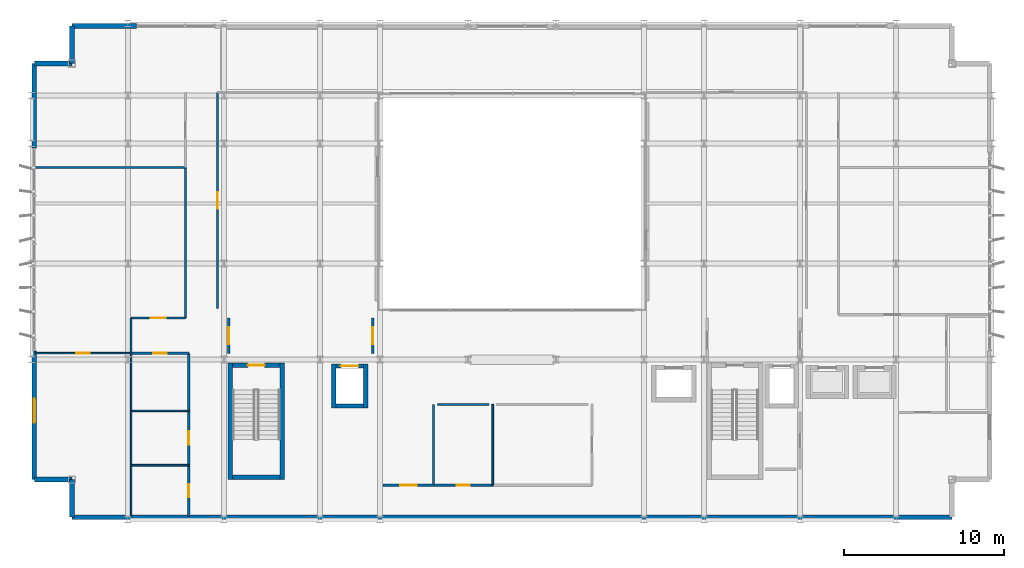
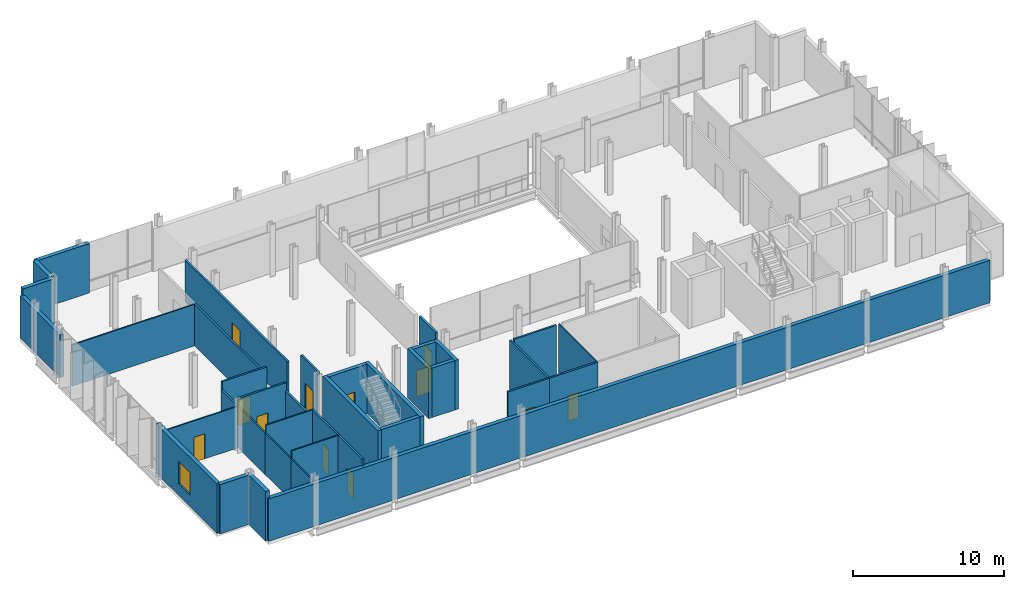
# One storey, part 24 of 32: 38 walls, 12 doors, 1 window, 13 openings.
"""IFC4 building model written with IfcOpenShell, lengths in metres."""

import ifcopenshell
import ifcopenshell.guid

model = None  # the IFC model being written
_history = None  # IfcOwnerHistory: only IFC2X3 demands one
_inside = {}  # id of a spatial element -> (the spatial element, [elements in it])
_under = {}  # id of a project, library or spatial element -> (it, [spatial elements below it])
_declared = {}  # id of a project -> (the project, [libraries it declares])
_typed = {}  # id of a type object -> (the type object, [elements of that type])
_made_of = {}  # id of a material, layer set ... -> (it, [elements and type objects made of it])


def new_model(schema):
    """Start an empty IFC model of exactly this schema.

    Asked for "IFC4X3", IfcOpenShell would pick the latest addendum, in which some entities
    have other attributes; the version numbers below select the first issue.
    IFC2X3 requires an IfcOwnerHistory on every rooted entity: one is made here for all.
    """
    global model, _history
    if schema == "IFC4X3":
        model = ifcopenshell.file(schema_version=(4, 3, 0, 0))
    else:
        model = ifcopenshell.file(schema=schema)
    _inside.clear()
    _under.clear()
    _declared.clear()
    _typed.clear()
    _made_of.clear()
    _history = None
    if model.schema == "IFC2X3":
        org = make("IfcOrganization", Name="unknown")
        user = make(
            "IfcPersonAndOrganization",
            ThePerson=make("IfcPerson", FamilyName="unknown"),
            TheOrganization=org,
        )
        app = make(
            "IfcApplication",
            ApplicationDeveloper=org,
            Version="unknown",
            ApplicationFullName="unknown",
            ApplicationIdentifier="unknown",
        )
        _history = make(
            "IfcOwnerHistory",
            OwningUser=user,
            OwningApplication=app,
            ChangeAction="ADDED",
            CreationDate=0,
        )
    return model


def make(cls, **values):
    """One entity of the class cls with the attributes given. An attribute that is None is left unset."""
    return model.create_entity(
        cls, **{name: value for name, value in values.items() if value is not None}
    )


def rooted(cls, **values):
    """An entity with a GlobalId (a new one), such as an element, a storey or a relation."""
    return make(cls, GlobalId=ifcopenshell.guid.new(), OwnerHistory=_history, **values)


def si_unit(unit_type, name, prefix=None):
    """IfcSIUnit, for example si_unit("LENGTHUNIT", "METRE", prefix="MILLI")."""
    return make("IfcSIUnit", UnitType=unit_type, Prefix=prefix, Name=name)


def assignment(units):
    """IfcUnitAssignment: the units of a project."""
    return None if units is None else make("IfcUnitAssignment", Units=units)


def point(xyz):
    """IfcCartesianPoint."""
    return None if xyz is None else make("IfcCartesianPoint", Coordinates=xyz)


def direction(xyz):
    """IfcDirection."""
    return None if xyz is None else make("IfcDirection", DirectionRatios=xyz)


def frame(location, z_axis=None, x_axis=None):
    """IfcAxis2Placement3D, a coordinate frame: its origin and axes. An axis left out is left unset."""
    return make(
        "IfcAxis2Placement3D",
        Location=point(location),
        Axis=direction(z_axis),
        RefDirection=direction(x_axis),
    )


def frame_2d(location, x_axis=None):
    """IfcAxis2Placement2D, a coordinate frame in the plane: its origin and x axis."""
    return make(
        "IfcAxis2Placement2D", Location=point(location), RefDirection=direction(x_axis)
    )


def origin():
    """The frame at (0, 0, 0) with its axes left unset."""
    return frame((0.0, 0.0, 0.0))


def place(relative_to, where):
    """IfcLocalPlacement: puts the frame where relative to a parent placement (None: the world)."""
    return make(
        "IfcLocalPlacement", PlacementRelTo=relative_to, RelativePlacement=where
    )


def context(
    kind, dimensions, precision=None, world=None, true_north=None, identifier=None
):
    """IfcGeometricRepresentationContext, for example the 3D "Model" context."""
    return make(
        "IfcGeometricRepresentationContext",
        ContextIdentifier=identifier,
        ContextType=kind,
        CoordinateSpaceDimension=dimensions,
        Precision=precision,
        WorldCoordinateSystem=world,
        TrueNorth=true_north,
    )


def subcontext(parent, identifier, kind, view, scale=None):
    """IfcGeometricRepresentationSubContext, for example "Body" below "Model"."""
    return make(
        "IfcGeometricRepresentationSubContext",
        ContextIdentifier=identifier,
        ContextType=kind,
        ParentContext=parent,
        TargetScale=scale,
        TargetView=view,
    )


def project(units=None, contexts=None):
    """IfcProject with its units and contexts."""
    return rooted(
        "IfcProject",
        Name="project",
        RepresentationContexts=contexts,
        UnitsInContext=assignment(units),
    )


def spatial(cls, under=None, at=None, **own):
    """A site, building, storey or space (cls), placed at a placement, below another one or the project."""
    s = rooted(cls, ObjectPlacement=at, **own)
    if under is not None:
        _under.setdefault(under.id(), (under, []))[1].append(s)
    return s


def profile(cls, at=None, kind="AREA", **sizes):
    """A parametric profile (cls). Its sizes go by their IFC names, for example OverallWidth=200.0."""
    return make(cls, ProfileType=kind, Position=at, **sizes)


def rectangle(**sizes):
    """IfcRectangleProfileDef."""
    return profile("IfcRectangleProfileDef", **sizes)


def extrude(swept, where, along, depth):
    """IfcExtrudedAreaSolid: the profile swept, set in the frame where, extruded along a direction by depth."""
    return make(
        "IfcExtrudedAreaSolid",
        SweptArea=swept,
        Position=where,
        ExtrudedDirection=direction(along),
        Depth=depth,
    )


def shape(context_of_items, identifier, shape_type, items):
    """IfcShapeRepresentation: the items that make up one representation, for example the "Body"."""
    return make(
        "IfcShapeRepresentation",
        ContextOfItems=context_of_items,
        RepresentationIdentifier=identifier,
        RepresentationType=shape_type,
        Items=items,
    )


def material(Name=None, Category=None):
    """IfcMaterial."""
    return make("IfcMaterial", Name=Name, Category=Category)


def layer(
    of_material, thickness, ventilated=None, Name=None, Category=None, Priority=None
):
    """IfcMaterialLayer: one layer of a wall or slab, of a material (None: an air gap)."""
    return make(
        "IfcMaterialLayer",
        Material=of_material,
        LayerThickness=thickness,
        IsVentilated=ventilated,
        Name=Name,
        Category=Category,
        Priority=Priority,
    )


def layer_set(layers, Name=None):
    """IfcMaterialLayerSet."""
    return make("IfcMaterialLayerSet", MaterialLayers=layers, LayerSetName=Name)


def made_of(thing, what):
    """Note that an element or type object is made of a material, layer set ...; save() writes the relation."""
    if what is not None:
        _made_of.setdefault(what.id(), (what, []))[1].append(thing)
    return thing


def type_object(cls, material=None, **own):
    """A type object (cls), such as IfcWallType, which elements share."""
    return made_of(rooted(cls, **own), material)


def element(
    cls,
    number,
    at=None,
    inside=None,
    cuts=None,
    type_object=None,
    material=None,
    context=None,
    identifier="Body",
    shape_type=None,
    held_by="IfcProductDefinitionShape",
    body=None,
    shapes=None,
    **own,
):
    """One element of the class cls, such as IfcWall. Its Tag is "e" and its number.

    at: its placement. inside: the storey or other place that contains it. cuts: it is an
    opening in that element (IfcRelVoidsElement). A single representation is given by context,
    identifier, shape_type and body (its items); several are given by shapes. held_by: the class
    of the entity that holds the representations. save() writes the other relations.
    """
    e = rooted(cls, Tag="e%d" % number, ObjectPlacement=at, **own)
    if body is not None:
        shapes = [shape(context, identifier, shape_type, body)]
    if shapes is not None:
        e.Representation = make(held_by, Representations=shapes)
    if inside is not None:
        _inside.setdefault(inside.id(), (inside, []))[1].append(e)
    if cuts is not None:
        rooted(
            "IfcRelVoidsElement", RelatingBuildingElement=cuts, RelatedOpeningElement=e
        )
    if type_object is not None:
        _typed.setdefault(type_object.id(), (type_object, []))[1].append(e)
    return made_of(e, material)


def fill(opening, filler):
    """IfcRelFillsElement: the door or window that sits in an opening."""
    return rooted(
        "IfcRelFillsElement",
        RelatingOpeningElement=opening,
        RelatedBuildingElement=filler,
    )


def aggregate(whole, parts):
    """IfcRelAggregates: a whole, such as a stair, and the parts it consists of."""
    return rooted("IfcRelAggregates", RelatingObject=whole, RelatedObjects=parts)


def save(model, path):
    """Write the relations noted so far, then the file.

    IfcRelAggregates (storeys below a building ...), IfcRelContainedInSpatialStructure (elements
    in a storey), IfcRelDefinesByType, IfcRelAssociatesMaterial and IfcRelDeclares: one each for
    every whole, place, type object, material and project.
    """
    for whole, parts in _under.values():
        aggregate(whole, parts)
    for where, things in _inside.values():
        rooted(
            "IfcRelContainedInSpatialStructure",
            RelatedElements=things,
            RelatingStructure=where,
        )
    for kind, things in _typed.values():
        rooted("IfcRelDefinesByType", RelatedObjects=things, RelatingType=kind)
    for what, things in _made_of.values():
        rooted("IfcRelAssociatesMaterial", RelatedObjects=things, RelatingMaterial=what)
    for by, libraries in _declared.values():
        rooted("IfcRelDeclares", RelatingContext=by, RelatedDefinitions=libraries)
    model.write(path)


model = new_model("IFC4")

# Units and contexts
model_context = context("Model", 3, precision=1e-05, world=origin(), true_north=direction((0.0, 1.0)))
body_context = subcontext(model_context, "Body", "Model", "MODEL_VIEW")
ifc_project = project(units=[si_unit("LENGTHUNIT", "METRE"), si_unit("AREAUNIT", "SQUARE_METRE"), si_unit("VOLUMEUNIT", "CUBIC_METRE"), si_unit("PLANEANGLEUNIT", "RADIAN"), si_unit("MASSUNIT", "GRAM", prefix="KILO")], contexts=[model_context])

# Site, building, storey
site_placement = place(None, origin())
site = spatial("IfcSite", under=ifc_project, at=site_placement, CompositionType="ELEMENT")
building_placement = place(site_placement, origin())
building = spatial("IfcBuilding", under=site, at=building_placement, Name="Brevholm Reach", CompositionType="ELEMENT")
storey_placement = place(building_placement, frame((0.0, 0.0, 134.5)))
storey = spatial("IfcBuildingStorey", under=building, at=storey_placement, Name="L40", CompositionType="ELEMENT", Elevation=134.5)

# Walls
ifc_material_1 = material(Name="Concrete C50/60", Category="concrete")
ifc_layer_1 = layer(ifc_material_1, 0.280029296875)
ifc_layer_set_1 = layer_set([ifc_layer_1], Name="Concrete C50/60")
wall_type_1 = type_object("IfcWallType", Name="WAL-COR-280", PredefinedType="SHEAR", material=ifc_layer_set_1)
for number, where, z_axis, x_axis, name in (
    (1, (12.409912109375, 2.5, 0.0), (0.0, 0.0, 1.0), (0.0, 1.0, 0.0), "L40 Escape Stair ST-1 Core Wall W"),
    (2, (15.639892578125, 2.5, 0.0), (0.0, 0.0, 1.0), (0.0, 1.0, 0.0), "L40 Escape Stair ST-1 Core Wall E"),
):
    element("IfcWall", number, at=place(storey_placement, frame(where, z_axis=z_axis, x_axis=x_axis)), inside=storey, type_object=wall_type_1, Name=name, PredefinedType="SHEAR", context=body_context, shape_type="SweptSolid", body=[
        extrude(rectangle(XDim=7.280029296875, YDim=0.280029296875, at=frame_2d((3.64013671875, 0.0))), origin(), (0.0, 0.0, 1.0), 3.97998046875),
    ])
wall_1_placement = place(storey_placement, frame((12.550048828125, 2.639892578125, 0.0), z_axis=(0.0, 0.0, 1.0), x_axis=(1.0, 0.0, 0.0)))
element("IfcWall", 3, at=wall_1_placement, inside=storey, type_object=wall_type_1, Name="L40 Escape Stair ST-1 Core Wall S", PredefinedType="SHEAR", context=body_context, shape_type="SweptSolid", body=[
    extrude(rectangle(XDim=2.949951171875, YDim=0.280029296875, at=frame_2d((1.47509765625, 0.0))), origin(), (0.0, 0.0, 1.0), 3.97998046875),
])

# Wall, opening, door
wall_2_placement = place(storey_placement, frame((15.5, 9.639892578125, 0.0), z_axis=(0.0, 0.0, 1.0), x_axis=(-1.0, 0.0, 0.0)))
wall_2 = element("IfcWall", 4, at=wall_2_placement, inside=storey, type_object=wall_type_1, Name="L40 Escape Stair ST-1 Core Wall N", PredefinedType="SHEAR", context=body_context, shape_type="SweptSolid", body=[
    extrude(rectangle(XDim=2.949951171875, YDim=0.280029296875, at=frame_2d((1.47509765625, 0.0))), origin(), (0.0, 0.0, 1.0), 3.97998046875),
])
opening_1_placement = place(wall_2_placement, frame((0.949951171875, 0.0, 0.0)))
opening_1 = element("IfcOpeningElement", 5, at=opening_1_placement, cuts=wall_2, Name="Opening SD-ST-1", PredefinedType="OPENING", context=body_context, shape_type="SweptSolid", body=[
    extrude(rectangle(XDim=1.050048828125, YDim=2.06005859375, at=frame_2d((0.52490234375, 1.030029296875))), frame((0.0, 0.14990234375, 0.0), z_axis=(0.0, -1.0, 0.0), x_axis=(1.0, 0.0, 0.0)), (0.0, 0.0, 1.0), 0.300048828125),
])
ifc_material_2 = material(Name="Hardwood-Lipped Steel-Core Fire and Smoke Door", Category="steel")
door_type_1 = type_object("IfcDoorType", Name="DOR-INT-FD60S", OperationType="NOTDEFINED", PredefinedType="DOOR", material=ifc_material_2)
door_1_placement = place(opening_1_placement, origin())
door_1 = element("IfcDoor", 6, at=door_1_placement, inside=storey, type_object=door_type_1, Name="L40 Protected Stair ST-1 Lobby Door", OperationType="SINGLE_SWING_RIGHT", OverallHeight=2.06005859375, OverallWidth=1.050048828125, PredefinedType="DOOR", context=body_context, shape_type="SweptSolid", body=[
    extrude(rectangle(XDim=1.050048828125, YDim=2.06005859375, at=frame_2d((0.52490234375, 1.030029296875))), frame((0.0, 0.02490234375, 0.0), z_axis=(0.0, -1.0, 0.0), x_axis=(1.0, 0.0, 0.0)), (0.0, 0.0, 1.0), 0.050048828125),
])
fill(opening_1, door_1)

# Walls
for number, where, z_axis, x_axis, name in (
    (7, (18.85009765625, 6.9599609375, 0.0), (0.0, 0.0, 1.0), (0.0, 1.0, 0.0), "L40 Lift FFL-1 Shaft Wall W"),
    (8, (20.85009765625, 6.9599609375, 0.0), (0.0, 0.0, 1.0), (0.0, 1.0, 0.0), "L40 Lift FFL-1 Shaft Wall E"),
):
    element("IfcWall", number, at=place(storey_placement, frame(where, z_axis=z_axis, x_axis=x_axis)), inside=storey, type_object=wall_type_1, Name=name, PredefinedType="SHEAR", context=body_context, shape_type="SweptSolid", body=[
        extrude(rectangle(XDim=2.780029296875, YDim=0.280029296875, at=frame_2d((1.39013671875, 0.0))), origin(), (0.0, 0.0, 1.0), 3.97998046875),
    ])
wall_3_placement = place(storey_placement, frame((18.989990234375, 7.10009765625, 0.0), z_axis=(0.0, 0.0, 1.0), x_axis=(1.0, 0.0, 0.0)))
element("IfcWall", 9, at=wall_3_placement, inside=storey, type_object=wall_type_1, Name="L40 Lift FFL-1 Shaft Wall S", PredefinedType="SHEAR", context=body_context, shape_type="SweptSolid", body=[
    extrude(rectangle(XDim=1.719970703125, YDim=0.280029296875, at=frame_2d((0.85986328125, 0.0))), origin(), (0.0, 0.0, 1.0), 3.97998046875),
])

# Wall, opening, door
wall_4_placement = place(storey_placement, frame((18.989990234375, 9.60009765625, 0.0), z_axis=(0.0, 0.0, 1.0), x_axis=(1.0, 0.0, 0.0)))
wall_4 = element("IfcWall", 10, at=wall_4_placement, inside=storey, type_object=wall_type_1, Name="L40 Lift FFL-1 Shaft Wall N", PredefinedType="SHEAR", context=body_context, shape_type="SweptSolid", body=[
    extrude(rectangle(XDim=1.719970703125, YDim=0.280029296875, at=frame_2d((0.85986328125, 0.0))), origin(), (0.0, 0.0, 1.0), 3.97998046875),
])
opening_2_placement = place(wall_4_placement, frame((0.31005859375, 0.0, 0.0)))
opening_2 = element("IfcOpeningElement", 11, at=opening_2_placement, cuts=wall_4, Name="Opening LD-FFL-1", PredefinedType="OPENING", context=body_context, shape_type="SweptSolid", body=[
    extrude(rectangle(XDim=1.10009765625, YDim=2.06005859375, at=frame_2d((0.550048828125, 1.030029296875))), frame((0.0, 0.14990234375, 0.0), z_axis=(0.0, -1.0, 0.0), x_axis=(1.0, 0.0, 0.0)), (0.0, 0.0, 1.0), 0.300048828125),
])
ifc_material_3 = material(Name="Brushed Stainless Steel Fire-Rated Sliding Lift Door", Category="steel")
door_type_2 = type_object("IfcDoorType", Name="DOR-LFT-1100", OperationType="NOTDEFINED", PredefinedType="DOOR", material=ifc_material_3)
door_2_placement = place(opening_2_placement, origin())
door_2 = element("IfcDoor", 12, at=door_2_placement, inside=storey, type_object=door_type_2, Name="L40 Lift FFL-1 Sliding Landing Door", OperationType="SLIDING_TO_RIGHT", OverallHeight=2.06005859375, OverallWidth=1.10009765625, PredefinedType="DOOR", context=body_context, shape_type="SweptSolid", body=[
    extrude(rectangle(XDim=1.10009765625, YDim=2.06005859375, at=frame_2d((0.550048828125, 1.030029296875))), frame((0.0, 0.02490234375, 0.0), z_axis=(0.0, -1.0, 0.0), x_axis=(1.0, 0.0, 0.0)), (0.0, 0.0, 1.0), 0.050048828125),
])
fill(opening_2, door_2)

# Walls
ifc_material_4 = material(Name="Concrete C40/50", Category="concrete")
ifc_layer_2 = layer(ifc_material_4, 0.300048828125)
ifc_layer_set_2 = layer_set([ifc_layer_2], Name="Concrete C40/50")
wall_type_2 = type_object("IfcWallType", Name="WAL-EXT-300", PredefinedType="STANDARD", material=ifc_layer_set_2)
for number, where, z_axis, x_axis, name in (
    (13, (2.5, 2.5, 0.0), (0.0, 0.0, 1.0), (0.0, -1.0, 0.0), "L40 Facade Wall WAL-L40-CSW1"),
    (14, (0.14990234375, 2.5, 0.0), (0.0, 0.0, 1.0), (1.0, 0.0, 0.0), "L40 Facade Wall WAL-L40-CSW2"),
    (15, (2.5, 30.85009765625, 0.0), (0.0, 0.0, 1.0), (0.0, -1.0, 0.0), "L40 Facade Wall WAL-L40-CNW1"),
    (16, (2.5, 28.5, 0.0), (0.0, 0.0, 1.0), (-1.0, 0.0, 0.0), "L40 Facade Wall WAL-L40-CNW2"),
):
    element("IfcWall", number, at=place(storey_placement, frame(where, z_axis=z_axis, x_axis=x_axis)), inside=storey, type_object=wall_type_2, Name=name, PredefinedType="STANDARD", context=body_context, shape_type="SweptSolid", body=[
        extrude(rectangle(XDim=2.35009765625, YDim=0.300048828125, at=frame_2d((1.175048828125, 0.0))), origin(), (0.0, 0.0, 1.0), 3.97998046875),
    ])
wall_5_placement = place(storey_placement, frame((2.5, 0.14990234375, 0.0), z_axis=(0.0, 0.0, 1.0), x_axis=(1.0, 0.0, 0.0)))
element("IfcWall", 17, at=wall_5_placement, inside=storey, type_object=wall_type_2, Name="L40 Facade Wall WAL-L40-S", PredefinedType="STANDARD", context=body_context, shape_type="SweptSolid", body=[
    extrude(rectangle(XDim=55.0, YDim=0.300048828125, at=frame_2d((27.5, 0.0))), origin(), (0.0, 0.0, 1.0), 3.421875),
])

# Wall, opening, window
wall_6_placement = place(storey_placement, frame((0.14990234375, 10.550048828125, 0.0), z_axis=(0.0, 0.0, 1.0), x_axis=(0.0, -1.0, 0.0)))
wall_6 = element("IfcWall", 18, at=wall_6_placement, inside=storey, type_object=wall_type_2, Name="L40 Facade Wall WAL-L40-W-S", PredefinedType="STANDARD", context=body_context, shape_type="SweptSolid", body=[
    extrude(rectangle(XDim=8.050048828125, YDim=0.300048828125, at=frame_2d((4.02490234375, 0.0))), origin(), (0.0, 0.0, 1.0), 3.97998046875),
])
opening_3_placement = place(wall_6_placement, frame((3.0, 0.0, 0.949951171875)))
opening_3 = element("IfcOpeningElement", 19, at=opening_3_placement, cuts=wall_6, Name="Opening WN-05", PredefinedType="OPENING", context=body_context, shape_type="SweptSolid", body=[
    extrude(rectangle(XDim=1.5, YDim=1.800048828125, at=frame_2d((0.75, 0.89990234375))), frame((0.0, 0.159912109375, 0.0), z_axis=(0.0, -1.0, 0.0), x_axis=(1.0, 0.0, 0.0)), (0.0, 0.0, 1.0), 0.320068359375),
])
ifc_material_5 = material(Name="Dark Anodised Aluminium and Solar-Control IGU Glass", Category="aluminium")
window_type = type_object("IfcWindowType", Name="WIN-RES-1500", PartitioningType="SINGLE_PANEL", PredefinedType="WINDOW", material=ifc_material_5)
window_placement = place(opening_3_placement, origin())
window = element("IfcWindow", 20, at=window_placement, inside=storey, type_object=window_type, Name="L40 Window WIN-L40-WS-1", OverallHeight=1.800048828125, OverallWidth=1.5, PartitioningType="SINGLE_PANEL", PredefinedType="WINDOW", context=body_context, shape_type="SweptSolid", body=[
    extrude(rectangle(XDim=1.5, YDim=1.800048828125, at=frame_2d((0.75, 0.89990234375))), frame((0.0, 0.030029296875, 0.0), z_axis=(0.0, -1.0, 0.0), x_axis=(1.0, 0.0, 0.0)), (0.0, 0.0, 1.0), 0.06005859375),
])
fill(opening_3, window)

# Walls
wall_7_placement = place(storey_placement, frame((0.14990234375, 28.5, 0.0), z_axis=(0.0, 0.0, 1.0), x_axis=(0.0, -1.0, 0.0)))
element("IfcWall", 21, at=wall_7_placement, inside=storey, type_object=wall_type_2, Name="L40 Facade Wall WAL-L40-W-N", PredefinedType="STANDARD", context=body_context, shape_type="SweptSolid", body=[
    extrude(rectangle(XDim=5.280029296875, YDim=0.300048828125, at=frame_2d((2.64013671875, 0.0))), origin(), (0.0, 0.0, 1.0), 3.421875),
])
wall_8_placement = place(storey_placement, frame((2.5, 30.85009765625, 0.0), z_axis=(0.0, 0.0, 1.0), x_axis=(1.0, 0.0, 0.0)))
element("IfcWall", 22, at=wall_8_placement, inside=storey, type_object=wall_type_2, Name="L40 Facade Wall WAL-L40-NP-W0", PredefinedType="STANDARD", context=body_context, shape_type="SweptSolid", body=[
    extrude(rectangle(XDim=4.050048828125, YDim=0.300048828125, at=frame_2d((2.02490234375, 0.0))), origin(), (0.0, 0.0, 1.0), 3.97998046875),
])
ifc_material_6 = material(Name="Moisture-Resistant Acoustic Gypsum Stud Partition 100 mm", Category="gypsum")
ifc_layer_3 = layer(ifc_material_6, 0.10009765625)
ifc_layer_set_3 = layer_set([ifc_layer_3], Name="Moisture-Resistant Acoustic Gypsum Stud Partition 100 mm")
wall_type_3 = type_object("IfcWallType", Name="WAL-PRT-100", PredefinedType="PARTITIONING", material=ifc_layer_set_3)
wall_9_placement = place(storey_placement, frame((28.800048828125, 2.154052734375, 0.0), z_axis=(0.0, 0.0, 1.0), x_axis=(0.0, 1.0, 0.0)))
element("IfcWall", 23, at=wall_9_placement, inside=storey, type_object=wall_type_3, Name="L40 Internal Partition 006", PredefinedType="PARTITIONING", context=body_context, shape_type="SweptSolid", body=[
    extrude(rectangle(XDim=5.0458984375, YDim=0.10009765625, at=frame_2d((2.52294921875, 0.0))), origin(), (0.0, 0.0, 1.0), 3.97998046875),
])
wall_10_placement = place(storey_placement, frame((6.199951171875, 6.800048828125, 0.0), z_axis=(0.0, 0.0, 1.0), x_axis=(1.0, 0.0, 0.0)))
element("IfcWall", 24, at=wall_10_placement, inside=storey, type_object=wall_type_3, Name="L40 Internal Partition 029", PredefinedType="PARTITIONING", context=body_context, shape_type="SweptSolid", body=[
    extrude(rectangle(XDim=3.595947265625, YDim=0.10009765625, at=frame_2d((1.7978515625, 0.0))), origin(), (0.0, 0.0, 1.0), 3.97998046875),
])
wall_11_placement = place(storey_placement, frame((6.199951171875, 6.800048828125, 0.0), z_axis=(0.0, 0.0, 1.0), x_axis=(0.0, 1.0, 0.0)))
element("IfcWall", 25, at=wall_11_placement, inside=storey, type_object=wall_type_3, Name="L40 Internal Partition 030", PredefinedType="PARTITIONING", context=body_context, shape_type="SweptSolid", body=[
    extrude(rectangle(XDim=3.595947265625, YDim=0.10009765625, at=frame_2d((1.7978515625, 0.0))), origin(), (0.0, 0.0, 1.0), 3.3427734375),
])
wall_12_placement = place(storey_placement, frame((6.199951171875, 3.39990234375, 0.0), z_axis=(0.0, 0.0, 1.0), x_axis=(1.0, 0.0, 0.0)))
element("IfcWall", 26, at=wall_12_placement, inside=storey, type_object=wall_type_3, Name="L40 Internal Partition 031", PredefinedType="PARTITIONING", context=body_context, shape_type="SweptSolid", body=[
    extrude(rectangle(XDim=3.595947265625, YDim=0.10009765625, at=frame_2d((1.7978515625, 0.0))), origin(), (0.0, 0.0, 1.0), 3.97998046875),
])
wall_13_placement = place(storey_placement, frame((6.199951171875, 3.39990234375, 0.0), z_axis=(0.0, 0.0, 1.0), x_axis=(0.0, 1.0, 0.0)))
element("IfcWall", 27, at=wall_13_placement, inside=storey, type_object=wall_type_3, Name="L40 Internal Partition 032", PredefinedType="PARTITIONING", context=body_context, shape_type="SweptSolid", body=[
    extrude(rectangle(XDim=3.39599609375, YDim=0.10009765625, at=frame_2d((1.697998046875, 0.0))), origin(), (0.0, 0.0, 1.0), 3.3427734375),
])
wall_14_placement = place(storey_placement, frame((6.199951171875, 0.199951171875, 0.0), z_axis=(0.0, 0.0, 1.0), x_axis=(0.0, 1.0, 0.0)))
element("IfcWall", 28, at=wall_14_placement, inside=storey, type_object=wall_type_3, Name="L40 Internal Partition 033", PredefinedType="PARTITIONING", context=body_context, shape_type="SweptSolid", body=[
    extrude(rectangle(XDim=3.196044921875, YDim=0.10009765625, at=frame_2d((1.59814453125, 0.0))), origin(), (0.0, 0.0, 1.0), 3.3427734375),
])
wall_15_placement = place(storey_placement, frame((0.199951171875, 22.0, 0.0), z_axis=(0.0, 0.0, 1.0), x_axis=(1.0, 0.0, 0.0)))
element("IfcWall", 29, at=wall_15_placement, inside=storey, type_object=wall_type_3, Name="L40 Internal Partition 034", PredefinedType="PARTITIONING", context=body_context, shape_type="SweptSolid", body=[
    extrude(rectangle(XDim=9.39599609375, YDim=0.10009765625, at=frame_2d((4.697998046875, 0.0))), origin(), (0.0, 0.0, 1.0), 3.3427734375),
])

# Wall, opening, door
wall_16_placement = place(storey_placement, frame((0.199951171875, 10.39990234375, 0.0), z_axis=(0.0, 0.0, 1.0), x_axis=(1.0, 0.0, 0.0)))
wall_16 = element("IfcWall", 30, at=wall_16_placement, inside=storey, type_object=wall_type_3, Name="L40 Internal Partition 035", PredefinedType="PARTITIONING", context=body_context, shape_type="SweptSolid", body=[
    extrude(rectangle(XDim=5.99609375, YDim=0.10009765625, at=frame_2d((2.998046875, 0.0))), origin(), (0.0, 0.0, 1.0), 3.3427734375),
])
opening_4_placement = place(wall_16_placement, frame((2.587890625, 0.0, 0.0)))
opening_4 = element("IfcOpeningElement", 31, at=opening_4_placement, cuts=wall_16, Name="Opening ID-03", PredefinedType="OPENING", context=body_context, shape_type="SweptSolid", body=[
    extrude(rectangle(XDim=0.820068359375, YDim=2.02001953125, at=frame_2d((0.41015625, 1.010009765625))), frame((0.0, 0.06005859375, 0.0), z_axis=(0.0, -1.0, 0.0), x_axis=(1.0, 0.0, 0.0)), (0.0, 0.0, 1.0), 0.1201171875),
])
ifc_material_7 = material(Name="Moisture-Resistant Painted Timber Internal Bathroom Door", Category="wood")
door_type_3 = type_object("IfcDoorType", Name="DOR-BATH-820", OperationType="NOTDEFINED", PredefinedType="DOOR", material=ifc_material_7)
door_3_placement = place(opening_4_placement, origin())
door_3 = element("IfcDoor", 32, at=door_3_placement, inside=storey, type_object=door_type_3, Name="L40 Access Door 021", OperationType="SINGLE_SWING_LEFT", OverallHeight=2.02001953125, OverallWidth=0.820068359375, PredefinedType="DOOR", context=body_context, shape_type="SweptSolid", body=[
    extrude(rectangle(XDim=0.820068359375, YDim=2.02001953125, at=frame_2d((0.41015625, 1.010009765625))), frame((0.0, 0.02490234375, 0.0), z_axis=(0.0, -1.0, 0.0), x_axis=(1.0, 0.0, 0.0)), (0.0, 0.0, 1.0), 0.050048828125),
])
fill(opening_4, door_3)

ifc_material_8 = material(Name="Twin-Stud Acoustic Fire-Rated Gypsum Partition 140 mm", Category="gypsum")
ifc_layer_4 = layer(ifc_material_8, 0.139892578125)
ifc_layer_set_4 = layer_set([ifc_layer_4], Name="Twin-Stud Acoustic Fire-Rated Gypsum Partition 140 mm")
wall_type_4 = type_object("IfcWallType", Name="WAL-PRT-140", PredefinedType="PARTITIONING", material=ifc_layer_set_4)
wall_17_placement = place(storey_placement, frame((21.949951171875, 2.14990234375, 0.0), z_axis=(0.0, 0.0, 1.0), x_axis=(1.0, 0.0, 0.0)))
wall_17 = element("IfcWall", 33, at=wall_17_placement, inside=storey, type_object=wall_type_4, Name="L40 Internal Partition 002", PredefinedType="PARTITIONING", context=body_context, shape_type="SweptSolid", body=[
    extrude(rectangle(XDim=3.161376953125, YDim=0.139892578125, at=frame_2d((1.58056640625, 0.0))), origin(), (0.0, 0.0, 1.0), 3.97998046875),
])
opening_5_placement = place(wall_17_placement, frame((1.0556640625, 0.0, 0.0)))
opening_5 = element("IfcOpeningElement", 34, at=opening_5_placement, cuts=wall_17, Name="Opening FD-01", PredefinedType="OPENING", context=body_context, shape_type="SweptSolid", body=[
    extrude(rectangle(XDim=1.050048828125, YDim=2.06005859375, at=frame_2d((0.52490234375, 1.030029296875))), frame((0.0, 0.079833984375, 0.0), z_axis=(0.0, -1.0, 0.0), x_axis=(1.0, 0.0, 0.0)), (0.0, 0.0, 1.0), 0.159912109375),
])
door_4_placement = place(opening_5_placement, origin())
door_4 = element("IfcDoor", 35, at=door_4_placement, inside=storey, type_object=door_type_1, Name="L40 Internal Door 002", OperationType="SINGLE_SWING_RIGHT", OverallHeight=2.06005859375, OverallWidth=1.050048828125, PredefinedType="DOOR", context=body_context, shape_type="SweptSolid", body=[
    extrude(rectangle(XDim=1.050048828125, YDim=2.06005859375, at=frame_2d((0.52490234375, 1.030029296875))), frame((0.0, 0.02490234375, 0.0), z_axis=(0.0, -1.0, 0.0), x_axis=(1.0, 0.0, 0.0)), (0.0, 0.0, 1.0), 0.050048828125),
])
fill(opening_5, door_4)

wall_18_placement = place(storey_placement, frame((25.0927734375, 2.14990234375, 0.0), z_axis=(0.0, 0.0, 1.0), x_axis=(1.0, 0.0, 0.0)))
wall_18 = element("IfcWall", 36, at=wall_18_placement, inside=storey, type_object=wall_type_4, Name="L40 Internal Partition 003", PredefinedType="PARTITIONING", context=body_context, shape_type="SweptSolid", body=[
    extrude(rectangle(XDim=3.718505859375, YDim=0.139892578125, at=frame_2d((1.859375, 0.0))), origin(), (0.0, 0.0, 1.0), 3.97998046875),
])
opening_6_placement = place(wall_18_placement, frame((1.44921875, 0.0, 0.0)))
opening_6 = element("IfcOpeningElement", 37, at=opening_6_placement, cuts=wall_18, Name="Opening ID-02", PredefinedType="OPENING", context=body_context, shape_type="SweptSolid", body=[
    extrude(rectangle(XDim=0.820068359375, YDim=2.02001953125, at=frame_2d((0.41015625, 1.010009765625))), frame((0.0, 0.079833984375, 0.0), z_axis=(0.0, -1.0, 0.0), x_axis=(1.0, 0.0, 0.0)), (0.0, 0.0, 1.0), 0.159912109375),
])
ifc_material_9 = material(Name="Moisture-Resistant Painted Timber Fire-Rated Riser and Service Door", Category="wood")
door_type_4 = type_object("IfcDoorType", Name="DOR-SRV-820", OperationType="NOTDEFINED", PredefinedType="DOOR", material=ifc_material_9)
door_5_placement = place(opening_6_placement, origin())
door_5 = element("IfcDoor", 38, at=door_5_placement, inside=storey, type_object=door_type_4, Name="L40 Internal Door 003", OperationType="SINGLE_SWING_LEFT", OverallHeight=2.02001953125, OverallWidth=0.820068359375, PredefinedType="DOOR", context=body_context, shape_type="SweptSolid", body=[
    extrude(rectangle(XDim=0.820068359375, YDim=2.02001953125, at=frame_2d((0.41015625, 1.010009765625))), frame((0.0, 0.02490234375, 0.0), z_axis=(0.0, -1.0, 0.0), x_axis=(1.0, 0.0, 0.0)), (0.0, 0.0, 1.0), 0.050048828125),
])
fill(opening_6, door_5)

# Wall
wall_19_placement = place(storey_placement, frame((25.10009765625, 2.154052734375, 0.0), z_axis=(0.0, 0.0, 1.0), x_axis=(0.0, 1.0, 0.0)))
element("IfcWall", 39, at=wall_19_placement, inside=storey, type_object=wall_type_4, Name="L40 Internal Partition 005", PredefinedType="PARTITIONING", context=body_context, shape_type="SweptSolid", body=[
    extrude(rectangle(XDim=5.0458984375, YDim=0.139892578125, at=frame_2d((2.52294921875, 0.0))), origin(), (0.0, 0.0, 1.0), 3.97998046875),
])

# Wall, opening, door
wall_20_placement = place(storey_placement, frame((6.199951171875, 10.39990234375, 0.0), z_axis=(0.0, 0.0, 1.0), x_axis=(1.0, 0.0, 0.0)))
wall_20 = element("IfcWall", 40, at=wall_20_placement, inside=storey, type_object=wall_type_4, Name="L40 Internal Partition 017", PredefinedType="PARTITIONING", context=body_context, shape_type="SweptSolid", body=[
    extrude(rectangle(XDim=3.607421875, YDim=0.139892578125, at=frame_2d((1.8037109375, 0.0))), origin(), (0.0, 0.0, 1.0), 3.97998046875),
])
opening_7_placement = place(wall_20_placement, frame((1.3935546875, 0.0, 0.0)))
opening_7 = element("IfcOpeningElement", 41, at=opening_7_placement, cuts=wall_20, Name="Opening ID-02", PredefinedType="OPENING", context=body_context, shape_type="SweptSolid", body=[
    extrude(rectangle(XDim=0.820068359375, YDim=2.02001953125, at=frame_2d((0.41015625, 1.010009765625))), frame((0.0, 0.079833984375, 0.0), z_axis=(0.0, -1.0, 0.0), x_axis=(1.0, 0.0, 0.0)), (0.0, 0.0, 1.0), 0.159912109375),
])
door_6_placement = place(opening_7_placement, origin())
door_6 = element("IfcDoor", 42, at=door_6_placement, inside=storey, type_object=door_type_4, Name="L40 Internal Door 010", OperationType="SINGLE_SWING_RIGHT", OverallHeight=2.02001953125, OverallWidth=0.820068359375, PredefinedType="DOOR", context=body_context, shape_type="SweptSolid", body=[
    extrude(rectangle(XDim=0.820068359375, YDim=2.02001953125, at=frame_2d((0.41015625, 1.010009765625))), frame((0.0, 0.02490234375, 0.0), z_axis=(0.0, -1.0, 0.0), x_axis=(1.0, 0.0, 0.0)), (0.0, 0.0, 1.0), 0.050048828125),
])
fill(opening_7, door_6)

wall_21_placement = place(storey_placement, frame((6.199951171875, 12.60009765625, 0.0), z_axis=(0.0, 0.0, 1.0), x_axis=(1.0, 0.0, 0.0)))
wall_21 = element("IfcWall", 43, at=wall_21_placement, inside=storey, type_object=wall_type_4, Name="L40 Internal Partition 018", PredefinedType="PARTITIONING", context=body_context, shape_type="SweptSolid", body=[
    extrude(rectangle(XDim=3.407470703125, YDim=0.139892578125, at=frame_2d((1.70361328125, 0.0))), origin(), (0.0, 0.0, 1.0), 3.97998046875),
])
opening_8_placement = place(wall_21_placement, frame((1.228759765625, 0.0, 0.0)))
opening_8 = element("IfcOpeningElement", 44, at=opening_8_placement, cuts=wall_21, Name="Opening ID-30", PredefinedType="OPENING", context=body_context, shape_type="SweptSolid", body=[
    extrude(rectangle(XDim=0.949951171875, YDim=2.050048828125, at=frame_2d((0.47509765625, 1.02490234375))), frame((0.0, 0.079833984375, 0.0), z_axis=(0.0, -1.0, 0.0), x_axis=(1.0, 0.0, 0.0)), (0.0, 0.0, 1.0), 0.159912109375),
])
ifc_material_10 = material(Name="European Oak Veneered Solid-Core Fire Entrance Door", Category="timber")
door_type_5 = type_object("IfcDoorType", Name="DOR-FLT-FD30S", OperationType="NOTDEFINED", PredefinedType="DOOR", material=ifc_material_10)
door_7_placement = place(opening_8_placement, origin())
door_7 = element("IfcDoor", 45, at=door_7_placement, inside=storey, type_object=door_type_5, Name="L40 Internal Door 011", OperationType="SINGLE_SWING_LEFT", OverallHeight=2.050048828125, OverallWidth=0.949951171875, PredefinedType="DOOR", context=body_context, shape_type="SweptSolid", body=[
    extrude(rectangle(XDim=0.949951171875, YDim=2.050048828125, at=frame_2d((0.47509765625, 1.02490234375))), frame((0.0, 0.02490234375, 0.0), z_axis=(0.0, -1.0, 0.0), x_axis=(1.0, 0.0, 0.0)), (0.0, 0.0, 1.0), 0.050048828125),
])
fill(opening_8, door_7)

# Walls
wall_22_placement = place(storey_placement, frame((6.199951171875, 10.39990234375, 0.0), z_axis=(0.0, 0.0, 1.0), x_axis=(0.0, 1.0, 0.0)))
element("IfcWall", 46, at=wall_22_placement, inside=storey, type_object=wall_type_4, Name="L40 Internal Partition 019", PredefinedType="PARTITIONING", context=body_context, shape_type="SweptSolid", body=[
    extrude(rectangle(XDim=2.2001953125, YDim=0.139892578125, at=frame_2d((1.10009765625, 0.0))), origin(), (0.0, 0.0, 1.0), 3.3427734375),
])
wall_23_placement = place(storey_placement, frame((9.60009765625, 12.60400390625, 0.0), z_axis=(0.0, 0.0, 1.0), x_axis=(0.0, 1.0, 0.0)))
element("IfcWall", 47, at=wall_23_placement, inside=storey, type_object=wall_type_4, Name="L40 Internal Partition 020", PredefinedType="PARTITIONING", context=body_context, shape_type="SweptSolid", body=[
    extrude(rectangle(XDim=9.4072265625, YDim=0.139892578125, at=frame_2d((4.70361328125, 0.0))), origin(), (0.0, 0.0, 1.0), 3.3427734375),
])

# Wall, opening, door
wall_24_placement = place(storey_placement, frame((11.60009765625, 13.188720703125, 0.0), z_axis=(0.0, 0.0, 1.0), x_axis=(0.0, 1.0, 0.0)))
wall_24 = element("IfcWall", 48, at=wall_24_placement, inside=storey, type_object=wall_type_4, Name="L40 Internal Partition 022", PredefinedType="PARTITIONING", context=body_context, shape_type="SweptSolid", body=[
    extrude(rectangle(XDim=13.51123046875, YDim=0.139892578125, at=frame_2d((6.755615234375, 0.0))), origin(), (0.0, 0.0, 1.0), 3.3427734375),
])
opening_9_placement = place(wall_24_placement, frame((6.230712890625, 0.0, 0.0)))
opening_9 = element("IfcOpeningElement", 49, at=opening_9_placement, cuts=wall_24, Name="Opening FD-01", PredefinedType="OPENING", context=body_context, shape_type="SweptSolid", body=[
    extrude(rectangle(XDim=1.050048828125, YDim=2.06005859375, at=frame_2d((0.52490234375, 1.030029296875))), frame((0.0, 0.079833984375, 0.0), z_axis=(0.0, -1.0, 0.0), x_axis=(1.0, 0.0, 0.0)), (0.0, 0.0, 1.0), 0.159912109375),
])
door_8_placement = place(opening_9_placement, origin())
door_8 = element("IfcDoor", 50, at=door_8_placement, inside=storey, type_object=door_type_1, Name="L40 Internal Door 013", OperationType="SINGLE_SWING_LEFT", OverallHeight=2.06005859375, OverallWidth=1.050048828125, PredefinedType="DOOR", context=body_context, shape_type="SweptSolid", body=[
    extrude(rectangle(XDim=1.050048828125, YDim=2.06005859375, at=frame_2d((0.52490234375, 1.030029296875))), frame((0.0, 0.02490234375, 0.0), z_axis=(0.0, -1.0, 0.0), x_axis=(1.0, 0.0, 0.0)), (0.0, 0.0, 1.0), 0.050048828125),
])
fill(opening_9, door_8)

# Wall
wall_25_placement = place(storey_placement, frame((9.800048828125, 6.788818359375, 0.0), z_axis=(0.0, 0.0, 1.0), x_axis=(0.0, 1.0, 0.0)))
element("IfcWall", 51, at=wall_25_placement, inside=storey, type_object=wall_type_4, Name="L40 Internal Partition 026", PredefinedType="PARTITIONING", context=body_context, shape_type="SweptSolid", body=[
    extrude(rectangle(XDim=3.607177734375, YDim=0.139892578125, at=frame_2d((1.8037109375, 0.0))), origin(), (0.0, 0.0, 1.0), 3.3427734375),
])

# Wall, opening, door
wall_26_placement = place(storey_placement, frame((9.800048828125, 3.388671875, 0.0), z_axis=(0.0, 0.0, 1.0), x_axis=(0.0, 1.0, 0.0)))
wall_26 = element("IfcWall", 52, at=wall_26_placement, inside=storey, type_object=wall_type_4, Name="L40 Internal Partition 027", PredefinedType="PARTITIONING", context=body_context, shape_type="SweptSolid", body=[
    extrude(rectangle(XDim=3.418701171875, YDim=0.139892578125, at=frame_2d((1.70947265625, 0.0))), origin(), (0.0, 0.0, 1.0), 3.97998046875),
])
opening_10_placement = place(wall_26_placement, frame((1.29931640625, 0.0, 0.0)))
opening_10 = element("IfcOpeningElement", 53, at=opening_10_placement, cuts=wall_26, Name="Opening ID-02", PredefinedType="OPENING", context=body_context, shape_type="SweptSolid", body=[
    extrude(rectangle(XDim=0.820068359375, YDim=2.02001953125, at=frame_2d((0.41015625, 1.010009765625))), frame((0.0, 0.079833984375, 0.0), z_axis=(0.0, -1.0, 0.0), x_axis=(1.0, 0.0, 0.0)), (0.0, 0.0, 1.0), 0.159912109375),
])
door_9_placement = place(opening_10_placement, origin())
door_9 = element("IfcDoor", 54, at=door_9_placement, inside=storey, type_object=door_type_4, Name="L40 Internal Door 016", OperationType="SINGLE_SWING_RIGHT", OverallHeight=2.02001953125, OverallWidth=0.820068359375, PredefinedType="DOOR", context=body_context, shape_type="SweptSolid", body=[
    extrude(rectangle(XDim=0.820068359375, YDim=2.02001953125, at=frame_2d((0.41015625, 1.010009765625))), frame((0.0, 0.02490234375, 0.0), z_axis=(0.0, -1.0, 0.0), x_axis=(1.0, 0.0, 0.0)), (0.0, 0.0, 1.0), 0.050048828125),
])
fill(opening_10, door_9)

wall_27_placement = place(storey_placement, frame((9.800048828125, 0.199951171875, 0.0), z_axis=(0.0, 0.0, 1.0), x_axis=(0.0, 1.0, 0.0)))
wall_27 = element("IfcWall", 55, at=wall_27_placement, inside=storey, type_object=wall_type_4, Name="L40 Internal Partition 028", PredefinedType="PARTITIONING", context=body_context, shape_type="SweptSolid", body=[
    extrude(rectangle(XDim=3.207275390625, YDim=0.139892578125, at=frame_2d((1.603515625, 0.0))), origin(), (0.0, 0.0, 1.0), 3.97998046875),
])
opening_11_placement = place(wall_27_placement, frame((1.193603515625, 0.0, 0.0)))
opening_11 = element("IfcOpeningElement", 56, at=opening_11_placement, cuts=wall_27, Name="Opening ID-02", PredefinedType="OPENING", context=body_context, shape_type="SweptSolid", body=[
    extrude(rectangle(XDim=0.820068359375, YDim=2.02001953125, at=frame_2d((0.41015625, 1.010009765625))), frame((0.0, 0.079833984375, 0.0), z_axis=(0.0, -1.0, 0.0), x_axis=(1.0, 0.0, 0.0)), (0.0, 0.0, 1.0), 0.159912109375),
])
door_10_placement = place(opening_11_placement, origin())
door_10 = element("IfcDoor", 57, at=door_10_placement, inside=storey, type_object=door_type_4, Name="L40 Internal Door 017", OperationType="SINGLE_SWING_LEFT", OverallHeight=2.02001953125, OverallWidth=0.820068359375, PredefinedType="DOOR", context=body_context, shape_type="SweptSolid", body=[
    extrude(rectangle(XDim=0.820068359375, YDim=2.02001953125, at=frame_2d((0.41015625, 1.010009765625))), frame((0.0, 0.02490234375, 0.0), z_axis=(0.0, -1.0, 0.0), x_axis=(1.0, 0.0, 0.0)), (0.0, 0.0, 1.0), 0.050048828125),
])
fill(opening_11, door_10)

# Wall
wall_28_placement = place(storey_placement, frame((25.340087890625, 7.199951171875, 0.0), z_axis=(0.0, 0.0, 1.0), x_axis=(1.0, 0.0, 0.0)))
element("IfcWall", 58, at=wall_28_placement, inside=storey, type_object=wall_type_4, Name="L40 Internal Partition 040", PredefinedType="PARTITIONING", context=body_context, shape_type="SweptSolid", body=[
    extrude(rectangle(XDim=3.219970703125, YDim=0.139892578125, at=frame_2d((1.60986328125, 0.0))), origin(), (0.0, 0.0, 1.0), 3.97998046875),
])

# Wall, opening, door
ifc_material_11 = material(Name="Twin-Frame Fire-Rated Gypsum Board and Mineral Wool 160 mm", Category="gypsum")
ifc_layer_5 = layer(ifc_material_11, 0.159912109375)
ifc_layer_set_5 = layer_set([ifc_layer_5], Name="Twin-Frame Fire-Rated Gypsum Board and Mineral Wool 160 mm")
wall_type_5 = type_object("IfcWallType", Name="WAL-PRT-160", PredefinedType="PARTITIONING", material=ifc_layer_set_5)
wall_29_placement = place(storey_placement, frame((12.300048828125, 10.388671875, 0.0), z_axis=(0.0, 0.0, 1.0), x_axis=(0.0, 1.0, 0.0)))
wall_29 = element("IfcWall", 59, at=wall_29_placement, inside=storey, type_object=wall_type_5, Name="L40 Internal Partition 012", PredefinedType="PARTITIONING", context=body_context, shape_type="SweptSolid", body=[
    extrude(rectangle(XDim=2.21142578125, YDim=0.159912109375, at=frame_2d((1.105712890625, 0.0))), origin(), (0.0, 0.0, 1.0), 3.97998046875),
])
opening_12_placement = place(wall_29_placement, frame((0.58056640625, 0.0, 0.0)))
opening_12 = element("IfcOpeningElement", 60, at=opening_12_placement, cuts=wall_29, Name="Opening FD-01", PredefinedType="OPENING", context=body_context, shape_type="SweptSolid", body=[
    extrude(rectangle(XDim=1.050048828125, YDim=2.06005859375, at=frame_2d((0.52490234375, 1.030029296875))), frame((0.0, 0.08984375, 0.0), z_axis=(0.0, -1.0, 0.0), x_axis=(1.0, 0.0, 0.0)), (0.0, 0.0, 1.0), 0.179931640625),
])
door_11_placement = place(opening_12_placement, origin())
door_11 = element("IfcDoor", 61, at=door_11_placement, inside=storey, type_object=door_type_1, Name="L40 Internal Door 005", OperationType="SINGLE_SWING_LEFT", OverallHeight=2.06005859375, OverallWidth=1.050048828125, PredefinedType="DOOR", context=body_context, shape_type="SweptSolid", body=[
    extrude(rectangle(XDim=1.050048828125, YDim=2.06005859375, at=frame_2d((0.52490234375, 1.030029296875))), frame((0.0, 0.02490234375, 0.0), z_axis=(0.0, -1.0, 0.0), x_axis=(1.0, 0.0, 0.0)), (0.0, 0.0, 1.0), 0.050048828125),
])
fill(opening_12, door_11)

wall_30_placement = place(storey_placement, frame((21.300048828125, 10.388671875, 0.0), z_axis=(0.0, 0.0, 1.0), x_axis=(0.0, 1.0, 0.0)))
wall_30 = element("IfcWall", 62, at=wall_30_placement, inside=storey, type_object=wall_type_5, Name="L40 Internal Partition 013", PredefinedType="PARTITIONING", context=body_context, shape_type="SweptSolid", body=[
    extrude(rectangle(XDim=2.21142578125, YDim=0.159912109375, at=frame_2d((1.105712890625, 0.0))), origin(), (0.0, 0.0, 1.0), 3.97998046875),
])
opening_13_placement = place(wall_30_placement, frame((0.58056640625, 0.0, 0.0)))
opening_13 = element("IfcOpeningElement", 63, at=opening_13_placement, cuts=wall_30, Name="Opening FD-01", PredefinedType="OPENING", context=body_context, shape_type="SweptSolid", body=[
    extrude(rectangle(XDim=1.050048828125, YDim=2.06005859375, at=frame_2d((0.52490234375, 1.030029296875))), frame((0.0, 0.08984375, 0.0), z_axis=(0.0, -1.0, 0.0), x_axis=(1.0, 0.0, 0.0)), (0.0, 0.0, 1.0), 0.179931640625),
])
door_12_placement = place(opening_13_placement, origin())
door_12 = element("IfcDoor", 64, at=door_12_placement, inside=storey, type_object=door_type_1, Name="L40 Internal Door 006", OperationType="SINGLE_SWING_RIGHT", OverallHeight=2.06005859375, OverallWidth=1.050048828125, PredefinedType="DOOR", context=body_context, shape_type="SweptSolid", body=[
    extrude(rectangle(XDim=1.050048828125, YDim=2.06005859375, at=frame_2d((0.52490234375, 1.030029296875))), frame((0.0, 0.02490234375, 0.0), z_axis=(0.0, -1.0, 0.0), x_axis=(1.0, 0.0, 0.0)), (0.0, 0.0, 1.0), 0.050048828125),
])
fill(opening_13, door_12)

save(model, "model.ifc")
